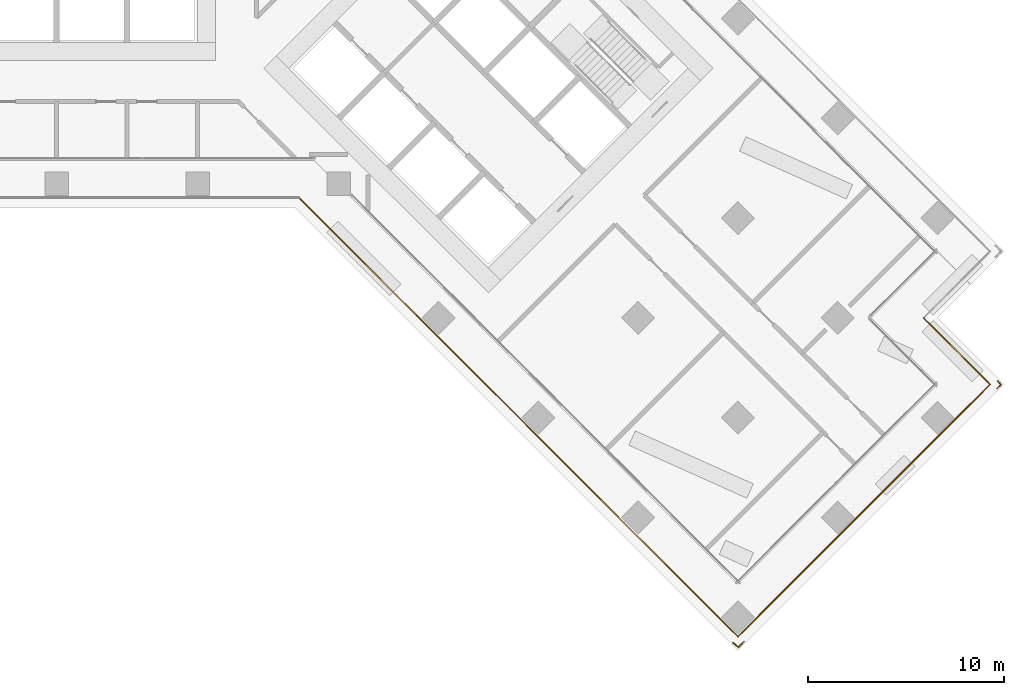
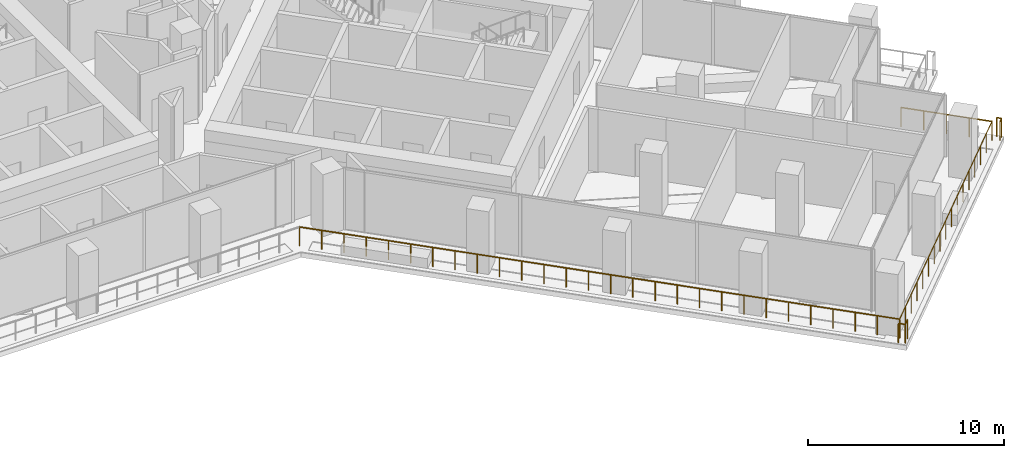
# One storey, part 21 of 24: 7 railings.
"""IFC4 building model written with IfcOpenShell, lengths in metres."""

from ifc_helpers import new_model, si_unit, direction, frame, origin, origin_2d, place, context, subcontext, project, spatial, circle, extrude, material, type_object, element, save


model = new_model("IFC4")

# Units and contexts
model_context = context("Model", 3, precision=1e-05, world=origin(), true_north=direction((0.0, 1.0)))
body_context = subcontext(model_context, "Body", "Model", "MODEL_VIEW")
ifc_project = project(units=[si_unit("LENGTHUNIT", "METRE"), si_unit("AREAUNIT", "SQUARE_METRE"), si_unit("VOLUMEUNIT", "CUBIC_METRE"), si_unit("PLANEANGLEUNIT", "RADIAN"), si_unit("MASSUNIT", "GRAM", prefix="KILO")], contexts=[model_context])

# Site, building, storey
site_placement = place(None, origin())
site = spatial("IfcSite", under=ifc_project, at=site_placement, CompositionType="ELEMENT")
building_placement = place(site_placement, origin())
building = spatial("IfcBuilding", under=site, at=building_placement, Name="Windrow Commons", CompositionType="ELEMENT")
storey_placement = place(building_placement, frame((0.0, 0.0, 77.0)))
storey = spatial("IfcBuildingStorey", under=building, at=storey_placement, Name="L20", CompositionType="ELEMENT", Elevation=77.0)

# Railings
ifc_material = material(Name="Stainless steel S316 balustrade with toughened glass infill", Category="steel")
railing_type = type_object("IfcRailingType", Name="Terrace guard 1200 podium", PredefinedType="BALUSTRADE", material=ifc_material)
railing_1_placement = place(storey_placement, frame((109.0399, 36.3618, 0.05)))
element("IfcRailing", 1, at=railing_1_placement, inside=storey, type_object=railing_type, Name="Guard TR-L20-1.E12", PredefinedType="BALUSTRADE", context=body_context, shape_type="SweptSolid", body=[
    extrude(circle(Radius=0.025, at=origin_2d()), frame((0.0, 0.0, 1.175), z_axis=(0.7071067812, -0.7071067812, 0.0), x_axis=(0.7071067812, 0.7071067812, 0.0)), (0.0, 0.0, 1.0), 4.8),
    extrude(circle(Radius=0.02, at=origin_2d()), origin(), (0.0, 0.0, 1.0), 1.15),
    extrude(circle(Radius=0.02, at=origin_2d()), frame((0.8485, -0.8485, 0.0)), (0.0, 0.0, 1.0), 1.15),
    extrude(circle(Radius=0.02, at=origin_2d()), frame((1.697, -1.6971, 0.0)), (0.0, 0.0, 1.0), 1.15),
    extrude(circle(Radius=0.02, at=origin_2d()), frame((2.5456, -2.5456, 0.0)), (0.0, 0.0, 1.0), 1.15),
    extrude(circle(Radius=0.02, at=origin_2d()), frame((3.3941, -3.3941, 0.0)), (0.0, 0.0, 1.0), 1.15),
])
railing_2_placement = place(storey_placement, frame((112.434, 32.9677, 0.05)))
element("IfcRailing", 2, at=railing_2_placement, inside=storey, type_object=railing_type, Name="Guard TR-L20-1.E13", PredefinedType="BALUSTRADE", context=body_context, shape_type="SweptSolid", body=[
    extrude(circle(Radius=0.025, at=origin_2d()), frame((0.0, 0.0, 1.175), z_axis=(-0.7071067812, -0.7071067812, 0.0), x_axis=(0.7071067812, -0.7071067812, 0.0)), (0.0, 0.0, 1.0), 18.1999),
    extrude(circle(Radius=0.02, at=origin_2d()), origin(), (0.0, 0.0, 1.0), 1.15),
    extrude(circle(Radius=0.02, at=origin_2d()), frame((-0.8043, -0.8043, 0.0)), (0.0, 0.0, 1.0), 1.15),
    extrude(circle(Radius=0.02, at=origin_2d()), frame((-1.6087, -1.6087, 0.0)), (0.0, 0.0, 1.0), 1.15),
    extrude(circle(Radius=0.02, at=origin_2d()), frame((-2.413, -2.413, 0.0)), (0.0, 0.0, 1.0), 1.15),
    extrude(circle(Radius=0.02, at=origin_2d()), frame((-3.2173, -3.2173, 0.0)), (0.0, 0.0, 1.0), 1.15),
    extrude(circle(Radius=0.02, at=origin_2d()), frame((-4.0217, -4.0217, 0.0)), (0.0, 0.0, 1.0), 1.15),
    extrude(circle(Radius=0.02, at=origin_2d()), frame((-4.826, -4.826, 0.0)), (0.0, 0.0, 1.0), 1.15),
    extrude(circle(Radius=0.02, at=origin_2d()), frame((-5.6303, -5.6303, 0.0)), (0.0, 0.0, 1.0), 1.15),
    extrude(circle(Radius=0.02, at=origin_2d()), frame((-6.4346, -6.4346, 0.0)), (0.0, 0.0, 1.0), 1.15),
    extrude(circle(Radius=0.02, at=origin_2d()), frame((-7.239, -7.239, 0.0)), (0.0, 0.0, 1.0), 1.15),
    extrude(circle(Radius=0.02, at=origin_2d()), frame((-8.0433, -8.0433, 0.0)), (0.0, 0.0, 1.0), 1.15),
    extrude(circle(Radius=0.02, at=origin_2d()), frame((-8.8476, -8.8476, 0.0)), (0.0, 0.0, 1.0), 1.15),
    extrude(circle(Radius=0.02, at=origin_2d()), frame((-9.652, -9.652, 0.0)), (0.0, 0.0, 1.0), 1.15),
    extrude(circle(Radius=0.02, at=origin_2d()), frame((-10.4563, -10.4563, 0.0)), (0.0, 0.0, 1.0), 1.15),
    extrude(circle(Radius=0.02, at=origin_2d()), frame((-11.2606, -11.2606, 0.0)), (0.0, 0.0, 1.0), 1.15),
    extrude(circle(Radius=0.02, at=origin_2d()), frame((-12.065, -12.065, 0.0)), (0.0, 0.0, 1.0), 1.15),
    extrude(circle(Radius=0.02, at=origin_2d()), frame((-12.8693, -12.8693, 0.0)), (0.0, 0.0, 1.0), 1.15),
])
railing_3_placement = place(storey_placement, frame((99.5647, 20.0984, 0.05)))
element("IfcRailing", 3, at=railing_3_placement, inside=storey, type_object=railing_type, Name="Guard TR-L20-1.E14", PredefinedType="BALUSTRADE", context=body_context, shape_type="SweptSolid", body=[
    extrude(circle(Radius=0.025, at=origin_2d()), frame((0.0, 0.0, 1.175), z_axis=(-0.7071083594, 0.7071052029, 0.0), x_axis=(-0.7071052029, -0.7071083594, 0.0)), (0.0, 0.0, 1.0), 31.6807),
    extrude(circle(Radius=0.02, at=origin_2d()), origin(), (0.0, 0.0, 1.0), 1.15),
    extrude(circle(Radius=0.02, at=origin_2d()), frame((-0.8297, 0.8297, 0.0)), (0.0, 0.0, 1.0), 1.15),
    extrude(circle(Radius=0.02, at=origin_2d()), frame((-1.6594, 1.6594, 0.0)), (0.0, 0.0, 1.0), 1.15),
    extrude(circle(Radius=0.02, at=origin_2d()), frame((-2.4891, 2.4891, 0.0)), (0.0, 0.0, 1.0), 1.15),
    extrude(circle(Radius=0.02, at=origin_2d()), frame((-3.3188, 3.3188, 0.0)), (0.0, 0.0, 1.0), 1.15),
    extrude(circle(Radius=0.02, at=origin_2d()), frame((-4.1485, 4.1484, 0.0)), (0.0, 0.0, 1.0), 1.15),
    extrude(circle(Radius=0.02, at=origin_2d()), frame((-4.9782, 4.9781, 0.0)), (0.0, 0.0, 1.0), 1.15),
    extrude(circle(Radius=0.02, at=origin_2d()), frame((-5.8078, 5.8078, 0.0)), (0.0, 0.0, 1.0), 1.15),
    extrude(circle(Radius=0.02, at=origin_2d()), frame((-6.6375, 6.6375, 0.0)), (0.0, 0.0, 1.0), 1.15),
    extrude(circle(Radius=0.02, at=origin_2d()), frame((-7.4672, 7.4672, 0.0)), (0.0, 0.0, 1.0), 1.15),
    extrude(circle(Radius=0.02, at=origin_2d()), frame((-8.2969, 8.2969, 0.0)), (0.0, 0.0, 1.0), 1.15),
    extrude(circle(Radius=0.02, at=origin_2d()), frame((-9.1266, 9.1266, 0.0)), (0.0, 0.0, 1.0), 1.15),
    extrude(circle(Radius=0.02, at=origin_2d()), frame((-9.9563, 9.9563, 0.0)), (0.0, 0.0, 1.0), 1.15),
    extrude(circle(Radius=0.02, at=origin_2d()), frame((-10.786, 10.786, 0.0)), (0.0, 0.0, 1.0), 1.15),
    extrude(circle(Radius=0.02, at=origin_2d()), frame((-11.6157, 11.6156, 0.0)), (0.0, 0.0, 1.0), 1.15),
    extrude(circle(Radius=0.02, at=origin_2d()), frame((-12.4454, 12.4453, 0.0)), (0.0, 0.0, 1.0), 1.15),
    extrude(circle(Radius=0.02, at=origin_2d()), frame((-13.2751, 13.275, 0.0)), (0.0, 0.0, 1.0), 1.15),
    extrude(circle(Radius=0.02, at=origin_2d()), frame((-14.1048, 14.1047, 0.0)), (0.0, 0.0, 1.0), 1.15),
    extrude(circle(Radius=0.02, at=origin_2d()), frame((-14.9345, 14.9344, 0.0)), (0.0, 0.0, 1.0), 1.15),
    extrude(circle(Radius=0.02, at=origin_2d()), frame((-15.7642, 15.7641, 0.0)), (0.0, 0.0, 1.0), 1.15),
    extrude(circle(Radius=0.02, at=origin_2d()), frame((-16.5939, 16.5938, 0.0)), (0.0, 0.0, 1.0), 1.15),
    extrude(circle(Radius=0.02, at=origin_2d()), frame((-17.4235, 17.4235, 0.0)), (0.0, 0.0, 1.0), 1.15),
    extrude(circle(Radius=0.02, at=origin_2d()), frame((-18.2532, 18.2532, 0.0)), (0.0, 0.0, 1.0), 1.15),
    extrude(circle(Radius=0.02, at=origin_2d()), frame((-19.0829, 19.0828, 0.0)), (0.0, 0.0, 1.0), 1.15),
    extrude(circle(Radius=0.02, at=origin_2d()), frame((-19.9126, 19.9125, 0.0)), (0.0, 0.0, 1.0), 1.15),
    extrude(circle(Radius=0.02, at=origin_2d()), frame((-20.7423, 20.7422, 0.0)), (0.0, 0.0, 1.0), 1.15),
    extrude(circle(Radius=0.02, at=origin_2d()), frame((-21.572, 21.5719, 0.0)), (0.0, 0.0, 1.0), 1.15),
    extrude(circle(Radius=0.02, at=origin_2d()), frame((-22.4017, 22.4016, 0.0)), (0.0, 0.0, 1.0), 1.15),
])
railing_4_placement = place(storey_placement, frame((99.8773, 19.8454, 0.05)))
element("IfcRailing", 4, at=railing_4_placement, inside=storey, type_object=railing_type, Name="Guard TR-L20-1.C14", PredefinedType="BALUSTRADE", context=body_context, shape_type="SweptSolid", body=[
    extrude(circle(Radius=0.025, at=origin_2d()), frame((0.0, 0.0, 1.175), z_axis=(-0.7069818617, -0.7072316786, 0.0), x_axis=(0.7072316786, -0.7069818617, 0.0)), (0.0, 0.0, 1.0), 0.4003),
    extrude(circle(Radius=0.02, at=origin_2d()), origin(), (0.0, 0.0, 1.0), 1.15),
    extrude(circle(Radius=0.02, at=origin_2d()), frame((-0.283, -0.2831, 0.0)), (0.0, 0.0, 1.0), 1.15),
])
railing_5_placement = place(storey_placement, frame((99.5943, 19.5623, 0.05)))
element("IfcRailing", 5, at=railing_5_placement, inside=storey, type_object=railing_type, Name="Guard TR-L20-1.C15", PredefinedType="BALUSTRADE", context=body_context, shape_type="SweptSolid", body=[
    extrude(circle(Radius=0.025, at=origin_2d()), frame((0.0, 0.0, 1.175), z_axis=(-0.7843716862, 0.6202911073, 0.0), x_axis=(-0.6202911073, -0.7843716862, 0.0)), (0.0, 0.0, 1.0), 0.3608),
    extrude(circle(Radius=0.02, at=origin_2d()), origin(), (0.0, 0.0, 1.0), 1.15),
    extrude(circle(Radius=0.02, at=origin_2d()), frame((-0.283, 0.2238, 0.0)), (0.0, 0.0, 1.0), 1.15),
])
railing_6_placement = place(storey_placement, frame((112.8219, 33.1455, 0.05)))
element("IfcRailing", 6, at=railing_6_placement, inside=storey, type_object=railing_type, Name="Guard TR-L20-1.C16", PredefinedType="BALUSTRADE", context=body_context, shape_type="SweptSolid", body=[
    extrude(circle(Radius=0.025, at=origin_2d()), frame((0.0, 0.0, 1.175), z_axis=(0.6374542637, -0.770488197, 0.0), x_axis=(0.770488197, 0.6374542637, 0.0)), (0.0, 0.0, 1.0), 0.2526),
    extrude(circle(Radius=0.02, at=origin_2d()), origin(), (0.0, 0.0, 1.0), 1.15),
    extrude(circle(Radius=0.02, at=origin_2d()), frame((0.161, -0.1946, 0.0)), (0.0, 0.0, 1.0), 1.15),
])
railing_7_placement = place(storey_placement, frame((112.9829, 32.9509, 0.05)))
element("IfcRailing", 7, at=railing_7_placement, inside=storey, type_object=railing_type, Name="Guard TR-L20-1.C17", PredefinedType="BALUSTRADE", context=body_context, shape_type="SweptSolid", body=[
    extrude(circle(Radius=0.025, at=origin_2d()), frame((0.0, 0.0, 1.175), z_axis=(-0.7071067812, -0.7071067812, 0.0), x_axis=(0.7071067812, -0.7071067812, 0.0)), (0.0, 0.0, 1.0), 0.2752),
    extrude(circle(Radius=0.02, at=origin_2d()), origin(), (0.0, 0.0, 1.0), 1.15),
    extrude(circle(Radius=0.02, at=origin_2d()), frame((-0.1946, -0.1946, 0.0)), (0.0, 0.0, 1.0), 1.15),
])

save(model, "model.ifc")
